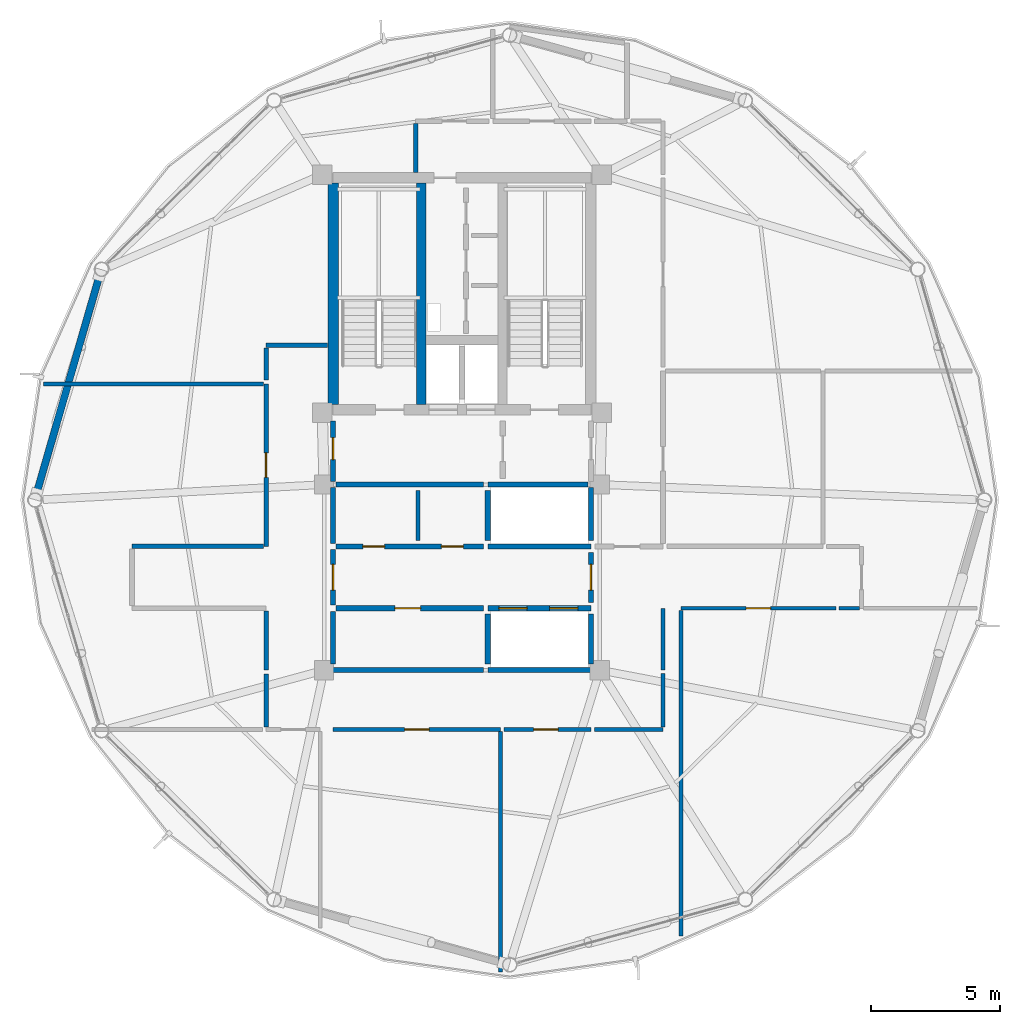
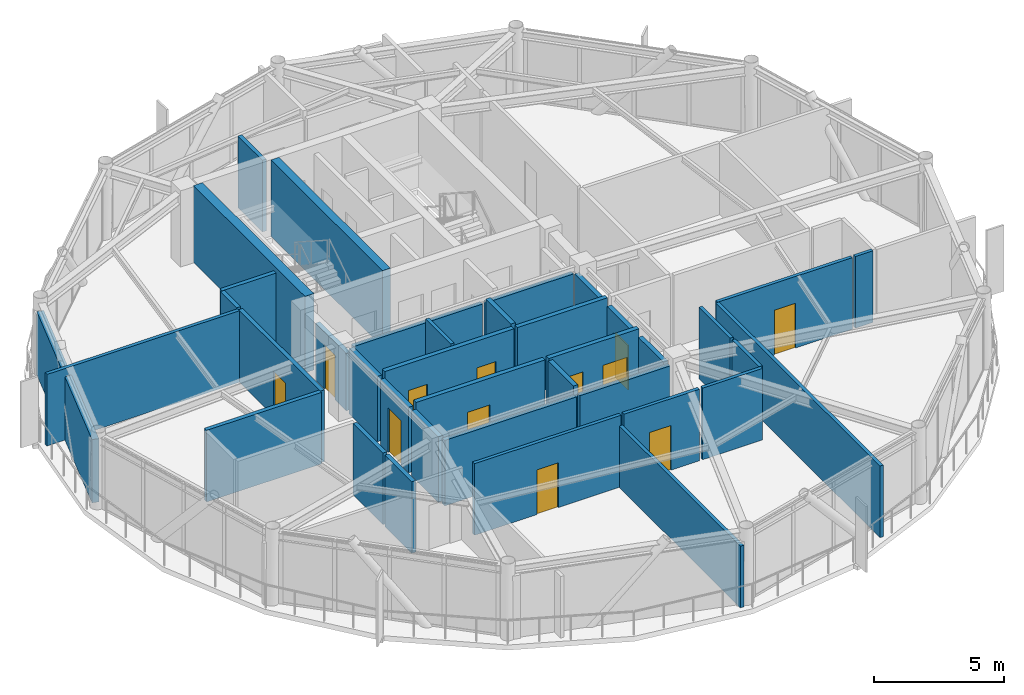
# One storey, part 20 of 25: 38 walls, 12 doors, 12 openings.
"""IFC4 building model written with IfcOpenShell, lengths in metres."""

from ifc_helpers import new_model, si_unit, direction, frame, frame_2d, origin, place, context, subcontext, project, spatial, rectangle, extrude, material, layer, layer_set, type_object, element, fill, save


model = new_model("IFC4")

# Units and contexts
model_context = context("Model", 3, precision=1e-05, world=origin(), true_north=direction((0.0, 1.0)))
body_context = subcontext(model_context, "Body", "Model", "MODEL_VIEW")
ifc_project = project(units=[si_unit("LENGTHUNIT", "METRE"), si_unit("AREAUNIT", "SQUARE_METRE"), si_unit("VOLUMEUNIT", "CUBIC_METRE"), si_unit("PLANEANGLEUNIT", "RADIAN"), si_unit("MASSUNIT", "GRAM", prefix="KILO")], contexts=[model_context])

# Site, building, storey
site_placement = place(None, origin())
site = spatial("IfcSite", under=ifc_project, at=site_placement, CompositionType="ELEMENT")
building_placement = place(site_placement, origin())
building = spatial("IfcBuilding", under=site, at=building_placement, Name="Varnakorn Sky Granary", CompositionType="ELEMENT")
storey_placement = place(building_placement, frame((0.0, 0.0, 252.60009765625)))
storey = spatial("IfcBuildingStorey", under=building, at=storey_placement, Name="L64", CompositionType="ELEMENT", Elevation=252.60009765625)

# Walls
ifc_material_1 = material(Name="Concrete C50/60", Category="concrete")
ifc_layer_1 = layer(ifc_material_1, 0.35009765625, Name="Concrete C50/60")
ifc_layer_set_1 = layer_set([ifc_layer_1], Name="Concrete C50/60")
wall_type_1 = type_object("IfcWallType", Name="WT-CW-INT-350", PredefinedType="SHEAR", material=ifc_layer_set_1)
wall_1_placement = place(storey_placement, frame((1.419921875, 3.7099609375, 0.0), z_axis=(0.0, 0.0, 1.0), x_axis=(0.0, 1.0, 0.0)))
element("IfcWall", 1, at=wall_1_placement, inside=storey, type_object=wall_type_1, Name="Stair ST-1 Core Wall L64", PredefinedType="SHEAR", context=body_context, shape_type="SweptSolid", body=[
    extrude(rectangle(XDim=8.580078125, YDim=0.35009765625, at=frame_2d((4.2900390625, 0.0))), origin(), (0.0, 0.0, 1.0), 3.591796875),
])
ifc_layer_2 = layer(ifc_material_1, 0.39990234375, Name="Concrete C50/60")
ifc_layer_set_2 = layer_set([ifc_layer_2], Name="Concrete C50/60")
wall_type_2 = type_object("IfcWallType", Name="WT-CW-SHEAR-400", PredefinedType="SHEAR", material=ifc_layer_set_2)
wall_2_placement = place(storey_placement, frame((-2.0, 3.7099609375, 0.0), z_axis=(0.0, 0.0, 1.0), x_axis=(0.0, 1.0, 0.0)))
element("IfcWall", 2, at=wall_2_placement, inside=storey, type_object=wall_type_2, Name="Core West Shear Wall L64", PredefinedType="SHEAR", context=body_context, shape_type="SweptSolid", body=[
    extrude(rectangle(XDim=8.580078125, YDim=0.39990234375, at=frame_2d((4.2900390625, 0.0))), origin(), (0.0, 0.0, 1.0), 3.591796875),
])
ifc_material_2 = material(Name="Precast concrete C40/50", Category="concrete")
ifc_layer_3 = layer(ifc_material_2, 0.280029296875, Name="Precast concrete C40/50")
ifc_layer_set_3 = layer_set([ifc_layer_3], Name="Precast concrete C40/50")
wall_type_3 = type_object("IfcWallType", Name="WT-EW-CRN-280", PredefinedType="SOLIDWALL", material=ifc_layer_set_3)
wall_3_placement = place(storey_placement, frame((-13.511962890625, 0.225341796875, 0.0), z_axis=(0.0, 0.0, 1.0), x_axis=(0.277496645895, 0.960726606021, 0.0)))
element("IfcWall", 3, at=wall_3_placement, inside=storey, type_object=wall_type_3, Name="Agritech Insulated Precast Facade Wall L64-P06", PredefinedType="SOLIDWALL", context=body_context, shape_type="SweptSolid", body=[
    extrude(rectangle(XDim=8.848876953125, YDim=0.280029296875, at=frame_2d((4.42431640625, 0.0))), origin(), (0.0, 0.0, 1.0), 2.969970703125),
])

# Wall, opening, door
ifc_material_3 = material(Name="Autoclaved Aerated Concrete Blockwork", Category="masonry")
ifc_layer_4 = layer(ifc_material_3, 0.199951171875, Name="Autoclaved Aerated Concrete Blockwork")
ifc_layer_set_4 = layer_set([ifc_layer_4], Name="Autoclaved Aerated Concrete Blockwork")
wall_type_4 = type_object("IfcWallType", Name="WT-FIRE-200", PredefinedType="MOVABLE", material=ifc_layer_set_4)
wall_4_placement = place(storey_placement, frame((-2.0, 0.719970703125, 0.0), z_axis=(0.0, 0.0, 1.0), x_axis=(0.0, 1.0, 0.0)))
wall_4 = element("IfcWall", 4, at=wall_4_placement, inside=storey, type_object=wall_type_4, Name="Interior Partition Wall L64-012", PredefinedType="MOVABLE", context=body_context, shape_type="SweptSolid", body=[
    extrude(rectangle(XDim=2.35009765625, YDim=0.199951171875, at=frame_2d((1.175048828125, 0.0))), origin(), (0.0, 0.0, 1.0), 2.69189453125),
])
opening_1_placement = place(wall_4_placement, frame((0.844970703125, 0.0, 0.0)))
opening_1 = element("IfcOpeningElement", 5, at=opening_1_placement, cuts=wall_4, Name="Opening FD-60N", PredefinedType="OPENING", context=body_context, shape_type="SweptSolid", body=[
    extrude(rectangle(XDim=0.85009765625, YDim=2.10009765625, at=frame_2d((0.425048828125, 1.050048828125))), frame((0.0, 0.10986328125, 0.0), z_axis=(0.0, -1.0, 0.0), x_axis=(1.0, 0.0, 0.0)), (0.0, 0.0, 1.0), 0.219970703125),
])
ifc_material_4 = material(Name="Acoustic Timber Fire Leaf", Category="wood")
door_type_1 = type_object("IfcDoorType", Name="DR-FD60-850", OperationType="NOTDEFINED", PredefinedType="DOOR", material=ifc_material_4)
door_1_placement = place(opening_1_placement, origin())
door_1 = element("IfcDoor", 6, at=door_1_placement, inside=storey, type_object=door_type_1, Name="Interior Door L64-012-1", OperationType="SINGLE_SWING_RIGHT", OverallHeight=2.10009765625, OverallWidth=0.85009765625, PredefinedType="DOOR", context=body_context, shape_type="SweptSolid", body=[
    extrude(rectangle(XDim=0.85009765625, YDim=2.10009765625, at=frame_2d((0.425048828125, 1.050048828125))), frame((0.0, 0.02490234375, 0.0), z_axis=(0.0, -1.0, 0.0), x_axis=(1.0, 0.0, 0.0)), (0.0, 0.0, 1.0), 0.050048828125),
])
fill(opening_1, door_1)

wall_5_placement = place(storey_placement, frame((-2.0, -4.080078125, 0.0), z_axis=(0.0, 0.0, 1.0), x_axis=(0.0, 1.0, 0.0)))
wall_5 = element("IfcWall", 7, at=wall_5_placement, inside=storey, type_object=wall_type_4, Name="Interior Partition Wall L64-014", PredefinedType="MOVABLE", context=body_context, shape_type="SweptSolid", body=[
    extrude(rectangle(XDim=2.16015625, YDim=0.199951171875, at=frame_2d((1.080078125, 0.0))), origin(), (0.0, 0.0, 1.0), 3.072021484375),
])
opening_2_placement = place(wall_5_placement, frame((0.580078125, 0.0, 0.0)))
opening_2 = element("IfcOpeningElement", 8, at=opening_2_placement, cuts=wall_5, Name="Opening FD-60", PredefinedType="OPENING", context=body_context, shape_type="SweptSolid", body=[
    extrude(rectangle(XDim=1.0, YDim=2.10009765625, at=frame_2d((0.5, 1.050048828125))), frame((0.0, 0.10986328125, 0.0), z_axis=(0.0, -1.0, 0.0), x_axis=(1.0, 0.0, 0.0)), (0.0, 0.0, 1.0), 0.219970703125),
])
door_type_2 = type_object("IfcDoorType", Name="DR-FD60-1000", OperationType="NOTDEFINED", PredefinedType="DOOR", material=ifc_material_4)
door_2_placement = place(opening_2_placement, origin())
door_2 = element("IfcDoor", 9, at=door_2_placement, inside=storey, type_object=door_type_2, Name="Interior Door L64-014-1", OperationType="SINGLE_SWING_RIGHT", OverallHeight=2.10009765625, OverallWidth=1.0, PredefinedType="DOOR", context=body_context, shape_type="SweptSolid", body=[
    extrude(rectangle(XDim=1.0, YDim=2.10009765625, at=frame_2d((0.5, 1.050048828125))), frame((0.0, 0.02490234375, 0.0), z_axis=(0.0, -1.0, 0.0), x_axis=(1.0, 0.0, 0.0)), (0.0, 0.0, 1.0), 0.050048828125),
])
fill(opening_2, door_2)

wall_6_placement = place(storey_placement, frame((8.0, -3.969970703125, 0.0), z_axis=(0.0, 0.0, 1.0), x_axis=(0.0, 1.0, 0.0)))
wall_6 = element("IfcWall", 10, at=wall_6_placement, inside=storey, type_object=wall_type_4, Name="Interior Partition Wall L64-015", PredefinedType="MOVABLE", context=body_context, shape_type="SweptSolid", body=[
    extrude(rectangle(XDim=1.93994140625, YDim=0.199951171875, at=frame_2d((0.969970703125, 0.0))), origin(), (0.0, 0.0, 1.0), 3.072021484375),
])
opening_3_placement = place(wall_6_placement, frame((0.469970703125, 0.0, 0.0)))
opening_3 = element("IfcOpeningElement", 11, at=opening_3_placement, cuts=wall_6, Name="Opening FD-60", PredefinedType="OPENING", context=body_context, shape_type="SweptSolid", body=[
    extrude(rectangle(XDim=1.0, YDim=2.10009765625, at=frame_2d((0.5, 1.050048828125))), frame((0.0, 0.10986328125, 0.0), z_axis=(0.0, -1.0, 0.0), x_axis=(1.0, 0.0, 0.0)), (0.0, 0.0, 1.0), 0.219970703125),
])
door_3_placement = place(opening_3_placement, origin())
door_3 = element("IfcDoor", 12, at=door_3_placement, inside=storey, type_object=door_type_2, Name="Interior Door L64-015-1", OperationType="SINGLE_SWING_LEFT", OverallHeight=2.10009765625, OverallWidth=1.0, PredefinedType="DOOR", context=body_context, shape_type="SweptSolid", body=[
    extrude(rectangle(XDim=1.0, YDim=2.10009765625, at=frame_2d((0.5, 1.050048828125))), frame((0.0, 0.02490234375, 0.0), z_axis=(0.0, -1.0, 0.0), x_axis=(1.0, 0.0, 0.0)), (0.0, 0.0, 1.0), 0.050048828125),
])
fill(opening_3, door_3)

# Wall, openings, doors
wall_7_placement = place(storey_placement, frame((-1.889892578125, -1.800048828125, 0.0), z_axis=(0.0, 0.0, 1.0), x_axis=(1.0, 0.0, 0.0)))
wall_7 = element("IfcWall", 13, at=wall_7_placement, inside=storey, type_object=wall_type_4, Name="Interior Partition Wall L64-016", PredefinedType="MOVABLE", context=body_context, shape_type="SweptSolid", body=[
    extrude(rectangle(XDim=5.72998046875, YDim=0.199951171875, at=frame_2d((2.864990234375, 0.0))), origin(), (0.0, 0.0, 1.0), 3.35986328125),
])
opening_4_placement = place(wall_7_placement, frame((1.0400390625, 0.0, 0.0)))
opening_4 = element("IfcOpeningElement", 14, at=opening_4_placement, cuts=wall_7, Name="Opening FD-60N", PredefinedType="OPENING", context=body_context, shape_type="SweptSolid", body=[
    extrude(rectangle(XDim=0.85009765625, YDim=2.10009765625, at=frame_2d((0.425048828125, 1.050048828125))), frame((0.0, 0.10986328125, 0.0), z_axis=(0.0, -1.0, 0.0), x_axis=(1.0, 0.0, 0.0)), (0.0, 0.0, 1.0), 0.219970703125),
])
opening_5_placement = place(wall_7_placement, frame((4.090087890625, 0.0, 0.0)))
opening_5 = element("IfcOpeningElement", 15, at=opening_5_placement, cuts=wall_7, Name="Opening FD-60N", PredefinedType="OPENING", context=body_context, shape_type="SweptSolid", body=[
    extrude(rectangle(XDim=0.85009765625, YDim=2.10009765625, at=frame_2d((0.425048828125, 1.050048828125))), frame((0.0, 0.10986328125, 0.0), z_axis=(0.0, -1.0, 0.0), x_axis=(1.0, 0.0, 0.0)), (0.0, 0.0, 1.0), 0.219970703125),
])
door_4_placement = place(opening_4_placement, origin())
door_4 = element("IfcDoor", 16, at=door_4_placement, inside=storey, type_object=door_type_1, Name="Interior Door L64-016-1", OperationType="SINGLE_SWING_RIGHT", OverallHeight=2.10009765625, OverallWidth=0.85009765625, PredefinedType="DOOR", context=body_context, shape_type="SweptSolid", body=[
    extrude(rectangle(XDim=0.85009765625, YDim=2.10009765625, at=frame_2d((0.425048828125, 1.050048828125))), frame((0.0, 0.02490234375, 0.0), z_axis=(0.0, -1.0, 0.0), x_axis=(1.0, 0.0, 0.0)), (0.0, 0.0, 1.0), 0.050048828125),
])
fill(opening_4, door_4)
door_5_placement = place(opening_5_placement, origin())
door_5 = element("IfcDoor", 17, at=door_5_placement, inside=storey, type_object=door_type_1, Name="Interior Door L64-016-2", OperationType="SINGLE_SWING_LEFT", OverallHeight=2.10009765625, OverallWidth=0.85009765625, PredefinedType="DOOR", context=body_context, shape_type="SweptSolid", body=[
    extrude(rectangle(XDim=0.85009765625, YDim=2.10009765625, at=frame_2d((0.425048828125, 1.050048828125))), frame((0.0, 0.02490234375, 0.0), z_axis=(0.0, -1.0, 0.0), x_axis=(1.0, 0.0, 0.0)), (0.0, 0.0, 1.0), 0.050048828125),
])
fill(opening_5, door_5)

# Wall, opening, door
wall_8_placement = place(storey_placement, frame((-1.889892578125, -4.199951171875, 0.0), z_axis=(0.0, 0.0, 1.0), x_axis=(1.0, 0.0, 0.0)))
wall_8 = element("IfcWall", 18, at=wall_8_placement, inside=storey, type_object=wall_type_4, Name="Interior Partition Wall L64-017", PredefinedType="MOVABLE", context=body_context, shape_type="SweptSolid", body=[
    extrude(rectangle(XDim=5.72998046875, YDim=0.199951171875, at=frame_2d((2.864990234375, 0.0))), origin(), (0.0, 0.0, 1.0), 3.35986328125),
])
opening_6_placement = place(wall_8_placement, frame((2.2900390625, 0.0, 0.0)))
opening_6 = element("IfcOpeningElement", 19, at=opening_6_placement, cuts=wall_8, Name="Opening FD-60", PredefinedType="OPENING", context=body_context, shape_type="SweptSolid", body=[
    extrude(rectangle(XDim=1.0, YDim=2.10009765625, at=frame_2d((0.5, 1.050048828125))), frame((0.0, 0.10986328125, 0.0), z_axis=(0.0, -1.0, 0.0), x_axis=(1.0, 0.0, 0.0)), (0.0, 0.0, 1.0), 0.219970703125),
])
door_6_placement = place(opening_6_placement, origin())
door_6 = element("IfcDoor", 20, at=door_6_placement, inside=storey, type_object=door_type_2, Name="Interior Door L64-017-1", OperationType="SINGLE_SWING_RIGHT", OverallHeight=2.10009765625, OverallWidth=1.0, PredefinedType="DOOR", context=body_context, shape_type="SweptSolid", body=[
    extrude(rectangle(XDim=1.0, YDim=2.10009765625, at=frame_2d((0.5, 1.050048828125))), frame((0.0, 0.02490234375, 0.0), z_axis=(0.0, -1.0, 0.0), x_axis=(1.0, 0.0, 0.0)), (0.0, 0.0, 1.0), 0.050048828125),
])
fill(opening_6, door_6)

# Walls
wall_9_placement = place(storey_placement, frame((-1.8798828125, 0.60009765625, 0.0), z_axis=(0.0, 0.0, 1.0), x_axis=(1.0, 0.0, 0.0)))
element("IfcWall", 21, at=wall_9_placement, inside=storey, type_object=wall_type_4, Name="Interior Partition Wall L64-031", PredefinedType="MOVABLE", context=body_context, shape_type="SweptSolid", body=[
    extrude(rectangle(XDim=5.719970703125, YDim=0.199951171875, at=frame_2d((2.85986328125, 0.0))), origin(), (0.0, 0.0, 1.0), 3.072021484375),
])
wall_10_placement = place(storey_placement, frame((-2.0, -1.679931640625, 0.0), z_axis=(0.0, 0.0, 1.0), x_axis=(0.0, 1.0, 0.0)))
element("IfcWall", 22, at=wall_10_placement, inside=storey, type_object=wall_type_4, Name="Interior Partition Wall L64-033", PredefinedType="MOVABLE", context=body_context, shape_type="SweptSolid", body=[
    extrude(rectangle(XDim=2.159912109375, YDim=0.199951171875, at=frame_2d((1.080078125, 0.0))), origin(), (0.0, 0.0, 1.0), 3.072021484375),
])
wall_11_placement = place(storey_placement, frame((-2.0, -6.60009765625, 0.0), z_axis=(0.0, 0.0, 1.0), x_axis=(1.0, 0.0, 0.0)))
element("IfcWall", 23, at=wall_11_placement, inside=storey, type_object=wall_type_4, Name="Interior Partition Wall L64-034", PredefinedType="MOVABLE", context=body_context, shape_type="SweptSolid", body=[
    extrude(rectangle(XDim=5.840087890625, YDim=0.199951171875, at=frame_2d((2.919921875, 0.0))), origin(), (0.0, 0.0, 1.0), 3.072021484375),
])
wall_12_placement = place(storey_placement, frame((-2.0, -6.3701171875, 0.0), z_axis=(0.0, 0.0, 1.0), x_axis=(0.0, 1.0, 0.0)))
element("IfcWall", 24, at=wall_12_placement, inside=storey, type_object=wall_type_4, Name="Interior Partition Wall L64-035", PredefinedType="MOVABLE", context=body_context, shape_type="SweptSolid", body=[
    extrude(rectangle(XDim=2.050048828125, YDim=0.199951171875, at=frame_2d((1.02490234375, 0.0))), origin(), (0.0, 0.0, 1.0), 3.072021484375),
])

# Wall, opening, door
ifc_material_5 = material(Name="Gypsum Plasterboard on Steel Stud", Category="steel")
ifc_layer_5 = layer(ifc_material_5, 0.14990234375, Name="Gypsum Plasterboard on Steel Stud")
ifc_layer_set_5 = layer_set([ifc_layer_5], Name="Gypsum Plasterboard on Steel Stud")
wall_type_5 = type_object("IfcWallType", Name="WT-PART-150", PredefinedType="PARTITIONING", material=ifc_layer_set_5)
wall_13_placement = place(storey_placement, frame((-2.0, -8.89990234375, 0.0), z_axis=(0.0, 0.0, 1.0), x_axis=(1.0, 0.0, 0.0)))
wall_13 = element("IfcWall", 25, at=wall_13_placement, inside=storey, type_object=wall_type_5, Name="Interior Partition Wall L64-021", PredefinedType="PARTITIONING", context=body_context, shape_type="SweptSolid", body=[
    extrude(rectangle(XDim=6.5, YDim=0.14990234375, at=frame_2d((3.25, 0.0))), origin(), (0.0, 0.0, 1.0), 3.35986328125),
])
opening_7_placement = place(wall_13_placement, frame((2.77490234375, 0.0, 0.0)))
opening_7 = element("IfcOpeningElement", 26, at=opening_7_placement, cuts=wall_13, Name="Opening ID-95", PredefinedType="OPENING", context=body_context, shape_type="SweptSolid", body=[
    extrude(rectangle(XDim=0.949951171875, YDim=2.10009765625, at=frame_2d((0.47509765625, 1.050048828125))), frame((0.0, 0.0849609375, 0.0), z_axis=(0.0, -1.0, 0.0), x_axis=(1.0, 0.0, 0.0)), (0.0, 0.0, 1.0), 0.169921875),
])
ifc_material_6 = material(Name="Solid-Core Teak Veneer Leaf", Category="timber")
door_type_3 = type_object("IfcDoorType", Name="DR-INT-950", OperationType="NOTDEFINED", PredefinedType="DOOR", material=ifc_material_6)
door_7_placement = place(opening_7_placement, origin())
door_7 = element("IfcDoor", 27, at=door_7_placement, inside=storey, type_object=door_type_3, Name="Interior Door L64-021-1", OperationType="SINGLE_SWING_RIGHT", OverallHeight=2.10009765625, OverallWidth=0.949951171875, PredefinedType="DOOR", context=body_context, shape_type="SweptSolid", body=[
    extrude(rectangle(XDim=0.949951171875, YDim=2.10009765625, at=frame_2d((0.47509765625, 1.050048828125))), frame((0.0, 0.02490234375, 0.0), z_axis=(0.0, -1.0, 0.0), x_axis=(1.0, 0.0, 0.0)), (0.0, 0.0, 1.0), 0.050048828125),
])
fill(opening_7, door_7)

wall_14_placement = place(storey_placement, frame((4.635009765625, -8.89990234375, 0.0), z_axis=(0.0, 0.0, 1.0), x_axis=(1.0, 0.0, 0.0)))
wall_14 = element("IfcWall", 28, at=wall_14_placement, inside=storey, type_object=wall_type_5, Name="Interior Partition Wall L64-022", PredefinedType="PARTITIONING", context=body_context, shape_type="SweptSolid", body=[
    extrude(rectangle(XDim=3.364990234375, YDim=0.14990234375, at=frame_2d((1.6826171875, 0.0))), origin(), (0.0, 0.0, 1.0), 3.35986328125),
])
opening_8_placement = place(wall_14_placement, frame((1.139892578125, 0.0, 0.0)))
opening_8 = element("IfcOpeningElement", 29, at=opening_8_placement, cuts=wall_14, Name="Opening ID-95", PredefinedType="OPENING", context=body_context, shape_type="SweptSolid", body=[
    extrude(rectangle(XDim=0.949951171875, YDim=2.10009765625, at=frame_2d((0.47509765625, 1.050048828125))), frame((0.0, 0.0849609375, 0.0), z_axis=(0.0, -1.0, 0.0), x_axis=(1.0, 0.0, 0.0)), (0.0, 0.0, 1.0), 0.169921875),
])
door_8_placement = place(opening_8_placement, origin())
door_8 = element("IfcDoor", 30, at=door_8_placement, inside=storey, type_object=door_type_3, Name="Interior Door L64-022-1", OperationType="SINGLE_SWING_LEFT", OverallHeight=2.10009765625, OverallWidth=0.949951171875, PredefinedType="DOOR", context=body_context, shape_type="SweptSolid", body=[
    extrude(rectangle(XDim=0.949951171875, YDim=2.10009765625, at=frame_2d((0.47509765625, 1.050048828125))), frame((0.0, 0.02490234375, 0.0), z_axis=(0.0, -1.0, 0.0), x_axis=(1.0, 0.0, 0.0)), (0.0, 0.0, 1.0), 0.050048828125),
])
fill(opening_8, door_8)

wall_15_placement = place(storey_placement, frame((11.5, -4.199951171875, 0.0), z_axis=(0.0, 0.0, 1.0), x_axis=(1.0, 0.0, 0.0)))
wall_15 = element("IfcWall", 31, at=wall_15_placement, inside=storey, type_object=wall_type_5, Name="Interior Partition Wall L64-023", PredefinedType="PARTITIONING", context=body_context, shape_type="SweptSolid", body=[
    extrude(rectangle(XDim=6.0, YDim=0.14990234375, at=frame_2d((3.0, 0.0))), origin(), (0.0, 0.0, 1.0), 3.35986328125),
])
opening_9_placement = place(wall_15_placement, frame((2.52490234375, 0.0, 0.0)))
opening_9 = element("IfcOpeningElement", 32, at=opening_9_placement, cuts=wall_15, Name="Opening ID-95", PredefinedType="OPENING", context=body_context, shape_type="SweptSolid", body=[
    extrude(rectangle(XDim=0.949951171875, YDim=2.10009765625, at=frame_2d((0.47509765625, 1.050048828125))), frame((0.0, 0.0849609375, 0.0), z_axis=(0.0, -1.0, 0.0), x_axis=(1.0, 0.0, 0.0)), (0.0, 0.0, 1.0), 0.169921875),
])
door_9_placement = place(opening_9_placement, origin())
door_9 = element("IfcDoor", 33, at=door_9_placement, inside=storey, type_object=door_type_3, Name="Interior Door L64-023-1", OperationType="SINGLE_SWING_RIGHT", OverallHeight=2.10009765625, OverallWidth=0.949951171875, PredefinedType="DOOR", context=body_context, shape_type="SweptSolid", body=[
    extrude(rectangle(XDim=0.949951171875, YDim=2.10009765625, at=frame_2d((0.47509765625, 1.050048828125))), frame((0.0, 0.02490234375, 0.0), z_axis=(0.0, -1.0, 0.0), x_axis=(1.0, 0.0, 0.0)), (0.0, 0.0, 1.0), 0.050048828125),
])
fill(opening_9, door_9)

# Walls
wall_16_placement = place(storey_placement, frame((1.300048828125, -1.570068359375, 0.0), z_axis=(0.0, 0.0, 1.0), x_axis=(0.0, 1.0, 0.0)))
element("IfcWall", 34, at=wall_16_placement, inside=storey, type_object=wall_type_5, Name="Interior Partition Wall L64-032", PredefinedType="PARTITIONING", context=body_context, shape_type="SweptSolid", body=[
    extrude(rectangle(XDim=1.940185546875, YDim=0.14990234375, at=frame_2d((0.97021484375, 0.0))), origin(), (0.0, 0.0, 1.0), 3.35986328125),
])
wall_17_placement = place(storey_placement, frame((4.5, -8.985107421875, 0.0), z_axis=(0.0, 0.0, 1.0), x_axis=(0.0, -1.0, 0.0)))
element("IfcWall", 35, at=wall_17_placement, inside=storey, type_object=wall_type_5, Name="Interior Partition Wall L64-039", PredefinedType="PARTITIONING", context=body_context, shape_type="SweptSolid", body=[
    extrude(rectangle(XDim=9.31591796875, YDim=0.14990234375, at=frame_2d((4.657958984375, 0.0))), origin(), (0.0, 0.0, 1.0), 2.891845703125),
])
wall_18_placement = place(storey_placement, frame((8.135009765625, -8.89990234375, 0.0), z_axis=(0.0, 0.0, 1.0), x_axis=(1.0, 0.0, 0.0)))
element("IfcWall", 36, at=wall_18_placement, inside=storey, type_object=wall_type_5, Name="Interior Partition Wall L64-040", PredefinedType="PARTITIONING", context=body_context, shape_type="SweptSolid", body=[
    extrude(rectangle(XDim=2.6650390625, YDim=0.14990234375, at=frame_2d((1.33251953125, 0.0))), origin(), (0.0, 0.0, 1.0), 3.35986328125),
])
wall_19_placement = place(storey_placement, frame((10.800048828125, -6.60009765625, 0.0), z_axis=(0.0, 0.0, 1.0), x_axis=(0.0, 1.0, 0.0)))
element("IfcWall", 37, at=wall_19_placement, inside=storey, type_object=wall_type_5, Name="Interior Partition Wall L64-041", PredefinedType="PARTITIONING", context=body_context, shape_type="SweptSolid", body=[
    extrude(rectangle(XDim=2.400146484375, YDim=0.14990234375, at=frame_2d((1.2001953125, 0.0))), origin(), (0.0, 0.0, 1.0), 3.35986328125),
])
wall_20_placement = place(storey_placement, frame((10.800048828125, -8.81494140625, 0.0), z_axis=(0.0, 0.0, 1.0), x_axis=(0.0, 1.0, 0.0)))
element("IfcWall", 38, at=wall_20_placement, inside=storey, type_object=wall_type_5, Name="Interior Partition Wall L64-042", PredefinedType="PARTITIONING", context=body_context, shape_type="SweptSolid", body=[
    extrude(rectangle(XDim=2.079833984375, YDim=0.14990234375, at=frame_2d((1.0400390625, 0.0))), origin(), (0.0, 0.0, 1.0), 3.35986328125),
])
wall_21_placement = place(storey_placement, frame((11.5, -4.284912109375, 0.0), z_axis=(0.0, 0.0, 1.0), x_axis=(0.0, -1.0, 0.0)))
element("IfcWall", 39, at=wall_21_placement, inside=storey, type_object=wall_type_5, Name="Interior Partition Wall L64-043", PredefinedType="PARTITIONING", context=body_context, shape_type="SweptSolid", body=[
    extrude(rectangle(XDim=12.62109375, YDim=0.14990234375, at=frame_2d((6.310546875, 0.0))), origin(), (0.0, 0.0, 1.0), 3.35986328125),
])
wall_22_placement = place(storey_placement, frame((17.635009765625, -4.199951171875, 0.0), z_axis=(0.0, 0.0, 1.0), x_axis=(1.0, 0.0, 0.0)))
element("IfcWall", 40, at=wall_22_placement, inside=storey, type_object=wall_type_5, Name="Interior Partition Wall L64-044", PredefinedType="PARTITIONING", context=body_context, shape_type="SweptSolid", body=[
    extrude(rectangle(XDim=0.780029296875, YDim=0.14990234375, at=frame_2d((0.39013671875, 0.0))), origin(), (0.0, 0.0, 1.0), 3.35986328125),
])
wall_23_placement = place(storey_placement, frame((-13.239013671875, 4.5, 0.0), z_axis=(0.0, 0.0, 1.0), x_axis=(1.0, 0.0, 0.0)))
element("IfcWall", 41, at=wall_23_placement, inside=storey, type_object=wall_type_5, Name="Interior Partition Wall L64-051", PredefinedType="PARTITIONING", context=body_context, shape_type="SweptSolid", body=[
    extrude(rectangle(XDim=8.5390625, YDim=0.14990234375, at=frame_2d((4.26953125, 0.0))), origin(), (0.0, 0.0, 1.0), 3.35986328125),
])

# Wall, opening, door
ifc_material_7 = material(Name="Moisture-Resistant Gypsum on Stud", Category="gypsum")
ifc_layer_6 = layer(ifc_material_7, 0.179931640625, Name="Moisture-Resistant Gypsum on Stud")
ifc_layer_set_6 = layer_set([ifc_layer_6], Name="Moisture-Resistant Gypsum on Stud")
wall_type_6 = type_object("IfcWallType", Name="WT-PLUMB-180", PredefinedType="PLUMBINGWALL", material=ifc_layer_set_6)
wall_24_placement = place(storey_placement, frame((-4.60009765625, 4.5, 0.0), z_axis=(0.0, 0.0, 1.0), x_axis=(0.0, -1.0, 0.0)))
wall_24 = element("IfcWall", 42, at=wall_24_placement, inside=storey, type_object=wall_type_6, Name="Interior Partition Wall L64-024", PredefinedType="PLUMBINGWALL", context=body_context, shape_type="SweptSolid", body=[
    extrude(rectangle(XDim=6.300048828125, YDim=0.179931640625, at=frame_2d((3.14990234375, 0.0))), origin(), (0.0, 0.0, 1.0), 3.35986328125),
])
opening_10_placement = place(wall_24_placement, frame((2.675048828125, 0.0, 0.0)))
opening_10 = element("IfcOpeningElement", 43, at=opening_10_placement, cuts=wall_24, Name="Opening ID-95", PredefinedType="OPENING", context=body_context, shape_type="SweptSolid", body=[
    extrude(rectangle(XDim=0.949951171875, YDim=2.10009765625, at=frame_2d((0.47509765625, 1.050048828125))), frame((0.0, 0.10009765625, 0.0), z_axis=(0.0, -1.0, 0.0), x_axis=(1.0, 0.0, 0.0)), (0.0, 0.0, 1.0), 0.199951171875),
])
door_10_placement = place(opening_10_placement, origin())
door_10 = element("IfcDoor", 44, at=door_10_placement, inside=storey, type_object=door_type_3, Name="Interior Door L64-024-1", OperationType="SINGLE_SWING_LEFT", OverallHeight=2.10009765625, OverallWidth=0.949951171875, PredefinedType="DOOR", context=body_context, shape_type="SweptSolid", body=[
    extrude(rectangle(XDim=0.949951171875, YDim=2.10009765625, at=frame_2d((0.47509765625, 1.050048828125))), frame((0.0, 0.02490234375, 0.0), z_axis=(0.0, -1.0, 0.0), x_axis=(1.0, 0.0, 0.0)), (0.0, 0.0, 1.0), 0.050048828125),
])
fill(opening_10, door_10)

# Walls
wall_25_placement = place(storey_placement, frame((-4.699951171875, -1.800048828125, 0.0), z_axis=(0.0, 0.0, 1.0), x_axis=(-1.0, 0.0, 0.0)))
element("IfcWall", 45, at=wall_25_placement, inside=storey, type_object=wall_type_6, Name="Interior Partition Wall L64-046", PredefinedType="PLUMBINGWALL", context=body_context, shape_type="SweptSolid", body=[
    extrude(rectangle(XDim=5.10009765625, YDim=0.179931640625, at=frame_2d((2.550048828125, 0.0))), origin(), (0.0, 0.0, 1.0), 3.35986328125),
])
wall_26_placement = place(storey_placement, frame((-4.60009765625, -4.300048828125, 0.0), z_axis=(0.0, 0.0, 1.0), x_axis=(0.0, -1.0, 0.0)))
element("IfcWall", 46, at=wall_26_placement, inside=storey, type_object=wall_type_6, Name="Interior Partition Wall L64-049", PredefinedType="PLUMBINGWALL", context=body_context, shape_type="SweptSolid", body=[
    extrude(rectangle(XDim=2.300048828125, YDim=0.179931640625, at=frame_2d((1.14990234375, 0.0))), origin(), (0.0, 0.0, 1.0), 3.35986328125),
])
wall_27_placement = place(storey_placement, frame((-4.60009765625, -6.75, 0.0), z_axis=(0.0, 0.0, 1.0), x_axis=(0.0, -1.0, 0.0)))
element("IfcWall", 47, at=wall_27_placement, inside=storey, type_object=wall_type_6, Name="Interior Partition Wall L64-050", PredefinedType="PLUMBINGWALL", context=body_context, shape_type="SweptSolid", body=[
    extrude(rectangle(XDim=2.06494140625, YDim=0.179931640625, at=frame_2d((1.032470703125, 0.0))), origin(), (0.0, 0.0, 1.0), 3.35986328125),
])
wall_28_placement = place(storey_placement, frame((1.199951171875, 14.60009765625, 0.0), z_axis=(0.0, 0.0, 1.0), x_axis=(0.0, -1.0, 0.0)))
element("IfcWall", 48, at=wall_28_placement, inside=storey, type_object=wall_type_6, Name="Interior Partition Wall L64-052", PredefinedType="PLUMBINGWALL", context=body_context, shape_type="SweptSolid", body=[
    extrude(rectangle(XDim=1.89013671875, YDim=0.179931640625, at=frame_2d((0.945068359375, 0.0))), origin(), (0.0, 0.0, 1.0), 3.35986328125),
])
wall_29_placement = place(storey_placement, frame((-2.2099609375, 6.0, 0.0), z_axis=(0.0, 0.0, 1.0), x_axis=(-1.0, 0.0, 0.0)))
element("IfcWall", 49, at=wall_29_placement, inside=storey, type_object=wall_type_6, Name="Interior Partition Wall L64-053", PredefinedType="PLUMBINGWALL", context=body_context, shape_type="SweptSolid", body=[
    extrude(rectangle(XDim=2.39013671875, YDim=0.179931640625, at=frame_2d((1.195068359375, 0.0))), origin(), (0.0, 0.0, 1.0), 3.35986328125),
])
wall_30_placement = place(storey_placement, frame((-4.60009765625, 5.89990234375, 0.0), z_axis=(0.0, 0.0, 1.0), x_axis=(0.0, -1.0, 0.0)))
element("IfcWall", 50, at=wall_30_placement, inside=storey, type_object=wall_type_6, Name="Interior Partition Wall L64-054", PredefinedType="PLUMBINGWALL", context=body_context, shape_type="SweptSolid", body=[
    extrude(rectangle(XDim=1.25, YDim=0.179931640625, at=frame_2d((0.625, 0.0))), origin(), (0.0, 0.0, 1.0), 3.35986328125),
])
ifc_layer_7 = layer(ifc_material_3, 0.199951171875, Name="Autoclaved Aerated Concrete Blockwork")
ifc_layer_set_7 = layer_set([ifc_layer_7], Name="Autoclaved Aerated Concrete Blockwork")
wall_type_7 = type_object("IfcWallType", Name="WT-SHAFT-200", PredefinedType="SOLIDWALL", material=ifc_layer_set_7)
wall_31_placement = place(storey_placement, frame((4.0, 0.60009765625, 0.0), z_axis=(0.0, 0.0, 1.0), x_axis=(1.0, 0.0, 0.0)))
element("IfcWall", 51, at=wall_31_placement, inside=storey, type_object=wall_type_7, Name="Interior Partition Wall L64-002", PredefinedType="SOLIDWALL", context=body_context, shape_type="SweptSolid", body=[
    extrude(rectangle(XDim=3.8798828125, YDim=0.199951171875, at=frame_2d((1.93994140625, 0.0))), origin(), (0.0, 0.0, 1.0), 3.072021484375),
])
wall_32_placement = place(storey_placement, frame((4.0, -1.800048828125, 0.0), z_axis=(0.0, 0.0, 1.0), x_axis=(1.0, 0.0, 0.0)))
element("IfcWall", 52, at=wall_32_placement, inside=storey, type_object=wall_type_7, Name="Interior Partition Wall L64-003", PredefinedType="SOLIDWALL", context=body_context, shape_type="SweptSolid", body=[
    extrude(rectangle(XDim=4.0, YDim=0.199951171875, at=frame_2d((2.0, 0.0))), origin(), (0.0, 0.0, 1.0), 3.35986328125),
])
wall_33_placement = place(storey_placement, frame((4.0, -1.570068359375, 0.0), z_axis=(0.0, 0.0, 1.0), x_axis=(0.0, 1.0, 0.0)))
element("IfcWall", 53, at=wall_33_placement, inside=storey, type_object=wall_type_7, Name="Interior Partition Wall L64-004", PredefinedType="SOLIDWALL", context=body_context, shape_type="SweptSolid", body=[
    extrude(rectangle(XDim=1.940185546875, YDim=0.199951171875, at=frame_2d((0.97021484375, 0.0))), origin(), (0.0, 0.0, 1.0), 3.35986328125),
])
wall_34_placement = place(storey_placement, frame((8.0, -1.570068359375, 0.0), z_axis=(0.0, 0.0, 1.0), x_axis=(0.0, 1.0, 0.0)))
element("IfcWall", 54, at=wall_34_placement, inside=storey, type_object=wall_type_7, Name="Interior Partition Wall L64-005", PredefinedType="SOLIDWALL", context=body_context, shape_type="SweptSolid", body=[
    extrude(rectangle(XDim=2.050048828125, YDim=0.199951171875, at=frame_2d((1.02490234375, 0.0))), origin(), (0.0, 0.0, 1.0), 3.072021484375),
])

# Wall, openings, doors
wall_35_placement = place(storey_placement, frame((4.0, -4.199951171875, 0.0), z_axis=(0.0, 0.0, 1.0), x_axis=(1.0, 0.0, 0.0)))
wall_35 = element("IfcWall", 55, at=wall_35_placement, inside=storey, type_object=wall_type_7, Name="Interior Partition Wall L64-006", PredefinedType="SOLIDWALL", context=body_context, shape_type="SweptSolid", body=[
    extrude(rectangle(XDim=4.0, YDim=0.199951171875, at=frame_2d((2.0, 0.0))), origin(), (0.0, 0.0, 1.0), 3.35986328125),
])
opening_11_placement = place(wall_35_placement, frame((0.429931640625, 0.0, 0.0)))
opening_11 = element("IfcOpeningElement", 56, at=opening_11_placement, cuts=wall_35, Name="Opening LD-01", PredefinedType="OPENING", context=body_context, shape_type="SweptSolid", body=[
    extrude(rectangle(XDim=1.10009765625, YDim=2.199951171875, at=frame_2d((0.550048828125, 1.10009765625))), frame((0.0, 0.10986328125, 0.0), z_axis=(0.0, -1.0, 0.0), x_axis=(1.0, 0.0, 0.0)), (0.0, 0.0, 1.0), 0.219970703125),
])
opening_12_placement = place(wall_35_placement, frame((2.39990234375, 0.0, 0.0)))
opening_12 = element("IfcOpeningElement", 57, at=opening_12_placement, cuts=wall_35, Name="Opening LD-01", PredefinedType="OPENING", context=body_context, shape_type="SweptSolid", body=[
    extrude(rectangle(XDim=1.10009765625, YDim=2.199951171875, at=frame_2d((0.550048828125, 1.10009765625))), frame((0.0, 0.10986328125, 0.0), z_axis=(0.0, -1.0, 0.0), x_axis=(1.0, 0.0, 0.0)), (0.0, 0.0, 1.0), 0.219970703125),
])
ifc_material_8 = material(Name="Brushed Bronze Stainless Steel", Category="steel")
door_type_4 = type_object("IfcDoorType", Name="DR-LD-1100", OperationType="DOUBLE_DOOR_SLIDING", PredefinedType="DOOR", material=ifc_material_8)
door_11_placement = place(opening_11_placement, origin())
door_11 = element("IfcDoor", 58, at=door_11_placement, inside=storey, type_object=door_type_4, Name="Passenger Lift PL-H1 Sliding Landing Door L64", OperationType="DOUBLE_DOOR_SLIDING", OverallHeight=2.199951171875, OverallWidth=1.10009765625, PredefinedType="DOOR", context=body_context, shape_type="SweptSolid", body=[
    extrude(rectangle(XDim=1.10009765625, YDim=2.199951171875, at=frame_2d((0.550048828125, 1.10009765625))), frame((0.0, 0.02490234375, 0.0), z_axis=(0.0, -1.0, 0.0), x_axis=(1.0, 0.0, 0.0)), (0.0, 0.0, 1.0), 0.050048828125),
])
fill(opening_11, door_11)
door_12_placement = place(opening_12_placement, origin())
door_12 = element("IfcDoor", 59, at=door_12_placement, inside=storey, type_object=door_type_4, Name="Passenger Lift PL-H2 Sliding Landing Door L64", OperationType="DOUBLE_DOOR_SLIDING", OverallHeight=2.199951171875, OverallWidth=1.10009765625, PredefinedType="DOOR", context=body_context, shape_type="SweptSolid", body=[
    extrude(rectangle(XDim=1.10009765625, YDim=2.199951171875, at=frame_2d((0.550048828125, 1.10009765625))), frame((0.0, 0.02490234375, 0.0), z_axis=(0.0, -1.0, 0.0), x_axis=(1.0, 0.0, 0.0)), (0.0, 0.0, 1.0), 0.050048828125),
])
fill(opening_12, door_12)

# Walls
wall_36_placement = place(storey_placement, frame((4.0, -6.60009765625, 0.0), z_axis=(0.0, 0.0, 1.0), x_axis=(1.0, 0.0, 0.0)))
element("IfcWall", 60, at=wall_36_placement, inside=storey, type_object=wall_type_7, Name="Interior Partition Wall L64-007", PredefinedType="SOLIDWALL", context=body_context, shape_type="SweptSolid", body=[
    extrude(rectangle(XDim=4.0, YDim=0.199951171875, at=frame_2d((2.0, 0.0))), origin(), (0.0, 0.0, 1.0), 3.072021484375),
])
wall_37_placement = place(storey_placement, frame((4.0, -6.3701171875, 0.0), z_axis=(0.0, 0.0, 1.0), x_axis=(0.0, 1.0, 0.0)))
element("IfcWall", 61, at=wall_37_placement, inside=storey, type_object=wall_type_7, Name="Interior Partition Wall L64-008", PredefinedType="SOLIDWALL", context=body_context, shape_type="SweptSolid", body=[
    extrude(rectangle(XDim=1.940185546875, YDim=0.199951171875, at=frame_2d((0.97021484375, 0.0))), origin(), (0.0, 0.0, 1.0), 3.35986328125),
])
wall_38_placement = place(storey_placement, frame((8.0, -6.3701171875, 0.0), z_axis=(0.0, 0.0, 1.0), x_axis=(0.0, 1.0, 0.0)))
element("IfcWall", 62, at=wall_38_placement, inside=storey, type_object=wall_type_7, Name="Interior Partition Wall L64-009", PredefinedType="SOLIDWALL", context=body_context, shape_type="SweptSolid", body=[
    extrude(rectangle(XDim=1.940185546875, YDim=0.199951171875, at=frame_2d((0.97021484375, 0.0))), origin(), (0.0, 0.0, 1.0), 3.072021484375),
])

save(model, "model.ifc")
